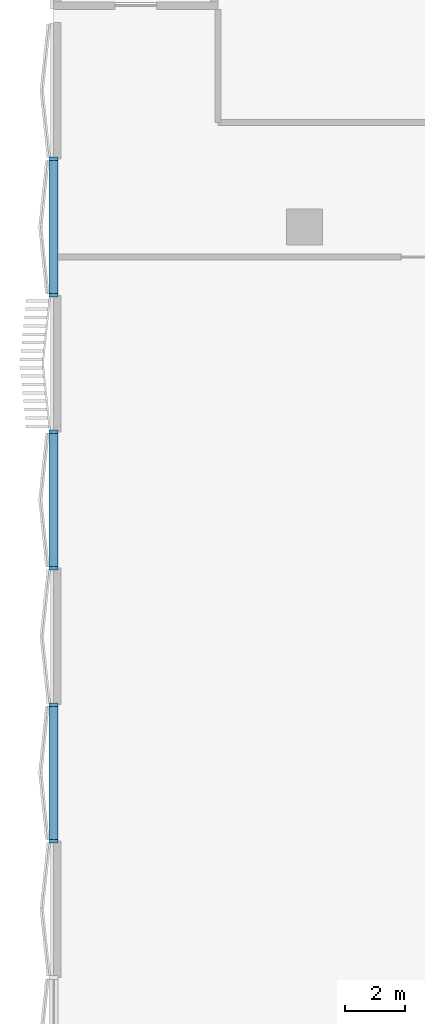
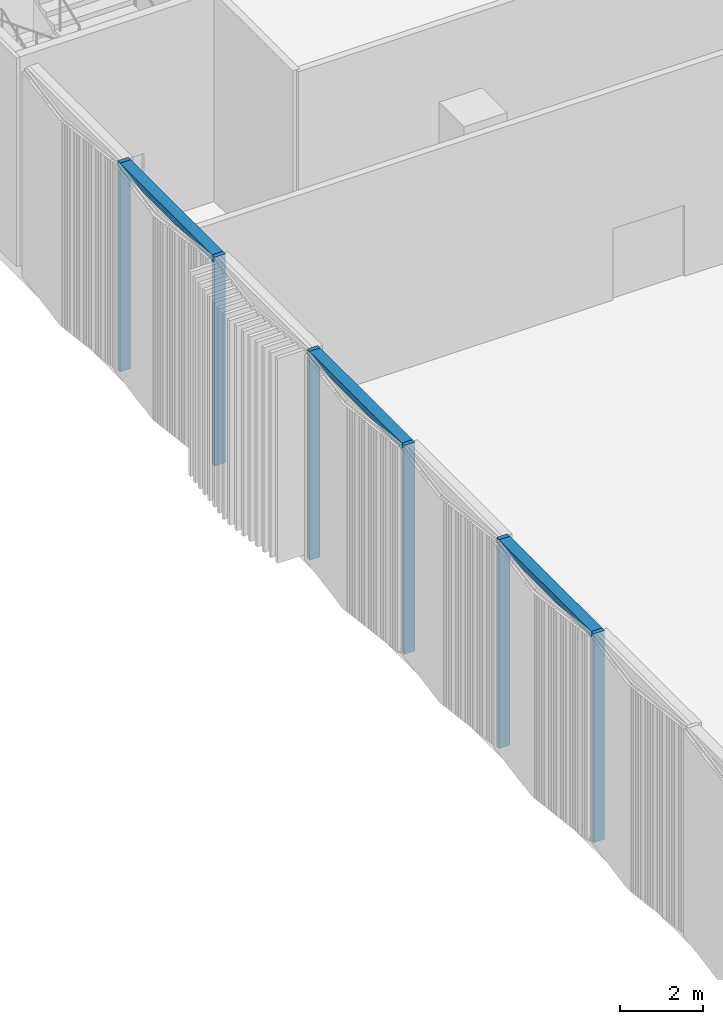
# One storey, part 4 of 32: 9 members, 1 element without a shape of its own.
"""IFC4 building model written with IfcOpenShell, lengths in metres."""

from ifc_helpers import new_model, si_unit, direction, frame, origin, origin_2d, place, context, subcontext, project, spatial, rectangle, extrude, material, material_profile, profile_set, type_object, element, aggregate, save


model = new_model("IFC4")

# Units and contexts
model_context = context("Model", 3, precision=1e-05, world=origin(), true_north=direction((0.0, 1.0)))
body_context = subcontext(model_context, "Body", "Model", "MODEL_VIEW")
ifc_project = project(units=[si_unit("LENGTHUNIT", "METRE"), si_unit("AREAUNIT", "SQUARE_METRE"), si_unit("VOLUMEUNIT", "CUBIC_METRE"), si_unit("PLANEANGLEUNIT", "RADIAN"), si_unit("MASSUNIT", "GRAM", prefix="KILO")], contexts=[model_context])

# Site, building, storey
site_placement = place(None, origin())
site = spatial("IfcSite", under=ifc_project, at=site_placement, CompositionType="ELEMENT")
building_placement = place(site_placement, origin())
building = spatial("IfcBuilding", under=site, at=building_placement, Name="Tamra Quay Hotel Tower", CompositionType="ELEMENT")
storey_placement = place(building_placement, frame((0.0, 0.0, 7.5)))
storey = spatial("IfcBuildingStorey", under=building, at=storey_placement, Name="L01", CompositionType="ELEMENT", Elevation=7.5)

# Curtain wall, members
ifc_material = material(Name="Aluminium 6063 anodised dark grey", Category="aluminium")
curtain_wall_type = type_object("IfcCurtainWallType", Name="CW4 CURTAIN WALL", PredefinedType="NOTDEFINED", material=ifc_material)
curtain_wall_placement = place(storey_placement, origin())
curtain_wall = element("IfcCurtainWall", 1, at=curtain_wall_placement, inside=storey, type_object=curtain_wall_type, Name="CW4 west face L01", PredefinedType="NOTDEFINED")
ifc_material_profile_1 = material_profile(ifc_material, rectangle(XDim=0.300048828125, YDim=0.1201171875, at=origin_2d()), Name="MULLION 120X300")
ifc_profile_set_1 = profile_set([ifc_material_profile_1], Name="Aluminium 6063 anodised dark grey")
member_type_1 = type_object("IfcMemberType", Name="MULLION CW4", PredefinedType="MULLION", material=ifc_profile_set_1)
member_1_placement = place(storey_placement, frame((-89.10009765625, 18.28564453125, 0.0), z_axis=(0.0, 0.0, 1.0), x_axis=(-1.0, 0.0, 0.0)))
member_1 = element("IfcMember", 2, at=member_1_placement, type_object=member_type_1, Name="CW4 mullion L01.W.1", PredefinedType="MULLION", context=body_context, shape_type="SweptSolid", body=[
    extrude(rectangle(XDim=0.300048828125, YDim=0.1201171875, at=origin_2d()), origin(), (0.0, 0.0, 1.0), 6.14990234375),
])
member_2_placement = place(storey_placement, frame((-89.10009765625, 13.71435546875, 0.0), z_axis=(0.0, 0.0, 1.0), x_axis=(-1.0, 0.0, 0.0)))
member_2 = element("IfcMember", 3, at=member_2_placement, type_object=member_type_1, Name="CW4 mullion L01.W.2", PredefinedType="MULLION", context=body_context, shape_type="SweptSolid", body=[
    extrude(rectangle(XDim=0.300048828125, YDim=0.1201171875, at=origin_2d()), origin(), (0.0, 0.0, 1.0), 6.14990234375),
])
member_3_placement = place(storey_placement, frame((-89.10009765625, 9.142822265625, 0.0), z_axis=(0.0, 0.0, 1.0), x_axis=(-1.0, 0.0, 0.0)))
member_3 = element("IfcMember", 4, at=member_3_placement, type_object=member_type_1, Name="CW4 mullion L01.W.2", PredefinedType="MULLION", context=body_context, shape_type="SweptSolid", body=[
    extrude(rectangle(XDim=0.300048828125, YDim=0.1201171875, at=origin_2d()), origin(), (0.0, 0.0, 1.0), 6.14990234375),
])
member_4_placement = place(storey_placement, frame((-89.10009765625, 4.571533203125, 0.0), z_axis=(0.0, 0.0, 1.0), x_axis=(-1.0, 0.0, 0.0)))
member_4 = element("IfcMember", 5, at=member_4_placement, type_object=member_type_1, Name="CW4 mullion L01.W.3", PredefinedType="MULLION", context=body_context, shape_type="SweptSolid", body=[
    extrude(rectangle(XDim=0.300048828125, YDim=0.1201171875, at=origin_2d()), origin(), (0.0, 0.0, 1.0), 6.14990234375),
])
member_5_placement = place(storey_placement, frame((-89.10009765625, 0.0, 0.0), z_axis=(0.0, 0.0, 1.0), x_axis=(-1.0, 0.0, 0.0)))
member_5 = element("IfcMember", 6, at=member_5_placement, type_object=member_type_1, Name="CW4 mullion L01.W.3", PredefinedType="MULLION", context=body_context, shape_type="SweptSolid", body=[
    extrude(rectangle(XDim=0.300048828125, YDim=0.1201171875, at=origin_2d()), origin(), (0.0, 0.0, 1.0), 6.14990234375),
])
member_6_placement = place(storey_placement, frame((-89.10009765625, -4.571533203125, 0.0), z_axis=(0.0, 0.0, 1.0), x_axis=(-1.0, 0.0, 0.0)))
member_6 = element("IfcMember", 7, at=member_6_placement, type_object=member_type_1, Name="CW4 mullion L01.W.4", PredefinedType="MULLION", context=body_context, shape_type="SweptSolid", body=[
    extrude(rectangle(XDim=0.300048828125, YDim=0.1201171875, at=origin_2d()), origin(), (0.0, 0.0, 1.0), 6.14990234375),
])
ifc_material_profile_2 = material_profile(ifc_material, rectangle(XDim=0.300048828125, YDim=0.179931640625, at=origin_2d()), Name="TRANSOM 300X180")
ifc_profile_set_2 = profile_set([ifc_material_profile_2], Name="Aluminium 6063 anodised dark grey")
member_type_2 = type_object("IfcMemberType", Name="TRANSOM CW4", PredefinedType="USERDEFINED", material=ifc_profile_set_2)
member_7_placement = place(storey_placement, frame((-89.10009765625, 18.225830078125, 6.06005859375), z_axis=(0.0, -1.0, 0.0), x_axis=(1.0, 0.0, 0.0)))
member_7 = element("IfcMember", 8, at=member_7_placement, type_object=member_type_2, Name="CW4 transom L01.W.1", ObjectType="TRANSOM", PredefinedType="USERDEFINED", context=body_context, shape_type="SweptSolid", body=[
    extrude(rectangle(XDim=0.300048828125, YDim=0.179931640625, at=origin_2d()), origin(), (0.0, 0.0, 1.0), 4.45166015625),
])
member_8_placement = place(storey_placement, frame((-89.10009765625, 9.082763671875, 6.06005859375), z_axis=(0.0, -1.0, 0.0), x_axis=(1.0, 0.0, 0.0)))
member_8 = element("IfcMember", 9, at=member_8_placement, type_object=member_type_2, Name="CW4 transom L01.W.2", ObjectType="TRANSOM", PredefinedType="USERDEFINED", context=body_context, shape_type="SweptSolid", body=[
    extrude(rectangle(XDim=0.300048828125, YDim=0.179931640625, at=origin_2d()), origin(), (0.0, 0.0, 1.0), 4.451416015625),
])
member_9_placement = place(storey_placement, frame((-89.10009765625, -0.06005859375, 6.06005859375), z_axis=(0.0, -1.0, 0.0), x_axis=(1.0, 0.0, 0.0)))
member_9 = element("IfcMember", 10, at=member_9_placement, type_object=member_type_2, Name="CW4 transom L01.W.3", ObjectType="TRANSOM", PredefinedType="USERDEFINED", context=body_context, shape_type="SweptSolid", body=[
    extrude(rectangle(XDim=0.300048828125, YDim=0.179931640625, at=origin_2d()), origin(), (0.0, 0.0, 1.0), 4.451416015625),
])
aggregate(curtain_wall, [member_1, member_7, member_2, member_3, member_8, member_4, member_5, member_9, member_6])

save(model, "model.ifc")
